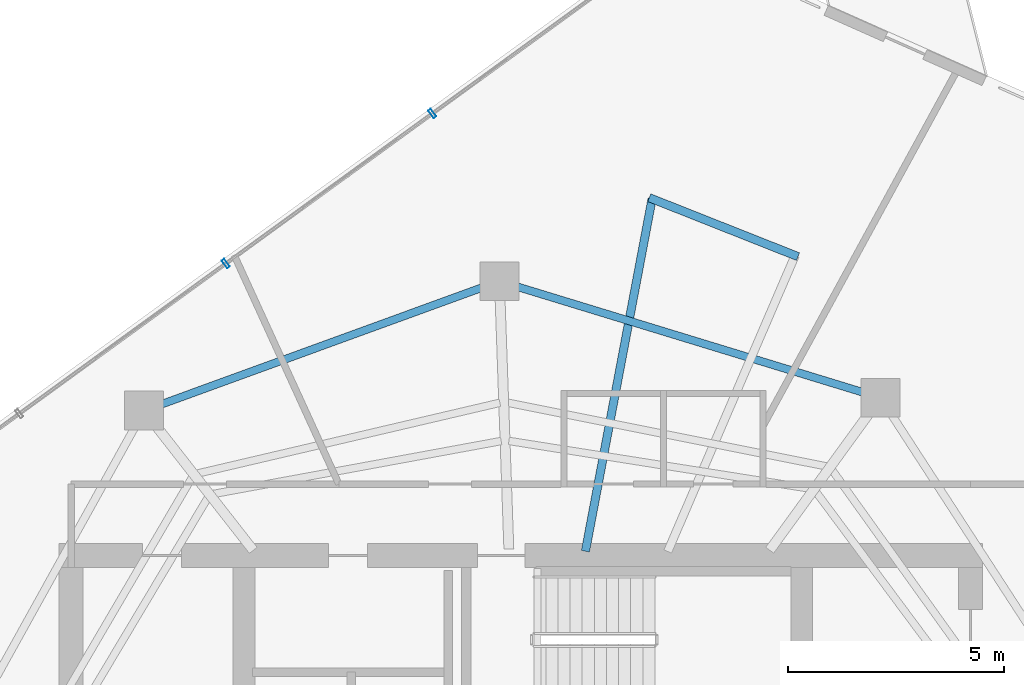
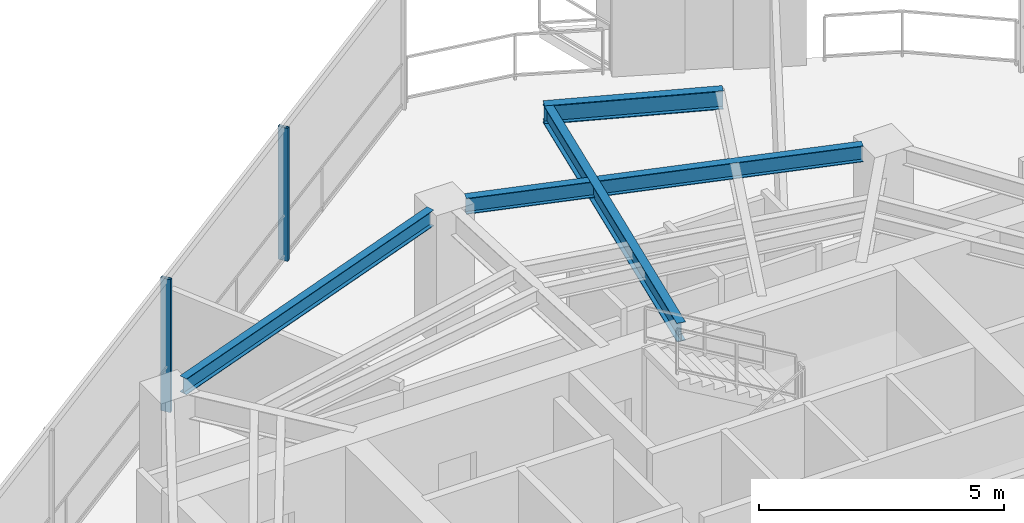
# One storey, part 13 of 20: 4 beams, 2 members, 1 element without a shape of its own.
"""IFC4 building model written with IfcOpenShell, lengths in metres."""

from ifc_helpers import new_model, si_unit, direction, frame, origin, origin_2d, place, context, subcontext, project, spatial, hollow_rectangle, i_section, extrude, material, layer, layer_set, material_profile, profile_set, type_object, element, aggregate, save


model = new_model("IFC4")

# Units and contexts
model_context = context("Model", 3, precision=1e-05, world=origin(), true_north=direction((0.0, 1.0)))
body_context = subcontext(model_context, "Body", "Model", "MODEL_VIEW")
ifc_project = project(units=[si_unit("LENGTHUNIT", "METRE"), si_unit("AREAUNIT", "SQUARE_METRE"), si_unit("VOLUMEUNIT", "CUBIC_METRE"), si_unit("PLANEANGLEUNIT", "RADIAN"), si_unit("MASSUNIT", "GRAM", prefix="KILO")], contexts=[model_context])

# Site, building, storey
site_placement = place(None, origin())
site = spatial("IfcSite", under=ifc_project, at=site_placement, CompositionType="ELEMENT")
building_placement = place(site_placement, origin())
building = spatial("IfcBuilding", under=site, at=building_placement, Name="Qarnah Convention Tower", CompositionType="ELEMENT")
storey_placement = place(building_placement, frame((0.0, 0.0, 202.199951171875)))
storey = spatial("IfcBuildingStorey", under=building, at=storey_placement, Name="L54", CompositionType="ELEMENT", Elevation=202.199951171875)

# Beams
ifc_material_1 = material(Name="Structural steel S355JR", Category="steel")
ifc_material_profile_1 = material_profile(ifc_material_1, i_section(OverallWidth=0.19189453125, OverallDepth=0.464111328125, WebThickness=0.010986328125, FlangeThickness=0.01806640625, at=origin_2d()), Name="W460X89")
ifc_profile_set_1 = profile_set([ifc_material_profile_1], Name="Structural steel S355JR")
beam_type_1 = type_object("IfcBeamType", Name="BM-CANT-W460A", PredefinedType="BEAM", material=ifc_profile_set_1)
beam_1_placement = place(storey_placement, frame((38.694091796875, 34.298095703125, 3.088134765625), z_axis=(0.185927001241, 0.982563560392, 0.0), x_axis=(-0.982563560392, 0.185927001241, 0.0)))
element("IfcBeam", 1, at=beam_1_placement, inside=storey, type_object=beam_type_1, Name="L54 beam BM-L54-CNT-01-2", PredefinedType="BEAM", context=body_context, shape_type="SweptSolid", body=[
    extrude(i_section(OverallWidth=0.19189453125, OverallDepth=0.464111328125, WebThickness=0.010986328125, FlangeThickness=0.01806640625, at=origin_2d()), origin(), (0.0, 0.0, 1.0), 8.29345703125),
])
beam_2_placement = place(storey_placement, frame((43.60791015625, 41.111083984375, 3.088134765625), z_axis=(-0.929683207284, 0.368360060394, 0.0), x_axis=(-0.368360060394, -0.929683207284, 0.0)))
element("IfcBeam", 2, at=beam_2_placement, inside=storey, type_object=beam_type_1, Name="L54 spandrel BM-L54-CTIE-01", PredefinedType="SPANDREL", context=body_context, shape_type="SweptSolid", body=[
    extrude(i_section(OverallWidth=0.19189453125, OverallDepth=0.464111328125, WebThickness=0.010986328125, FlangeThickness=0.01806640625, at=origin_2d()), origin(), (0.0, 0.0, 1.0), 3.697021484375),
])
ifc_material_profile_2 = material_profile(ifc_material_1, i_section(OverallWidth=0.179931640625, OverallDepth=0.39990234375, WebThickness=0.009033203125, FlangeThickness=0.013916015625, at=origin_2d()), Name="IPE400")
ifc_profile_set_2 = profile_set([ifc_material_profile_2], Name="Structural steel S355JR")
beam_type_2 = type_object("IfcBeamType", Name="BM-SPN-IPE400", PredefinedType="SPANDREL", material=ifc_profile_set_2)
beam_3_placement = place(storey_placement, frame((45.095947265625, 37.97705078125, 3.1201171875), z_axis=(-0.956348614223, 0.292228212318, 0.0), x_axis=(-0.292228212318, -0.956348614223, 0.0)))
element("IfcBeam", 3, at=beam_3_placement, inside=storey, type_object=beam_type_2, Name="L54 spandrel BM-L54-SPN-02", PredefinedType="SPANDREL", context=body_context, shape_type="SweptSolid", body=[
    extrude(i_section(OverallWidth=0.179931640625, OverallDepth=0.39990234375, WebThickness=0.009033203125, FlangeThickness=0.013916015625, at=origin_2d()), origin(), (0.0, 0.0, 1.0), 8.332763671875),
])
beam_4_placement = place(storey_placement, frame((36.29296875, 40.39111328125, 3.1201171875), z_axis=(-0.939665594936, -0.342094387112, 0.0), x_axis=(0.342094387112, -0.939665594936, 0.0)))
element("IfcBeam", 4, at=beam_4_placement, inside=storey, type_object=beam_type_2, Name="L54 spandrel BM-L54-SPN-03", PredefinedType="SPANDREL", context=body_context, shape_type="SweptSolid", body=[
    extrude(i_section(OverallWidth=0.179931640625, OverallDepth=0.39990234375, WebThickness=0.009033203125, FlangeThickness=0.013916015625, at=origin_2d()), origin(), (0.0, 0.0, 1.0), 7.86669921875),
])

# Curtain wall, members
ifc_material_2 = material(Name="Tempered Low-E dark glass", Category="glass")
ifc_layer = layer(ifc_material_2, 0.174072265625)
ifc_layer_set = layer_set([ifc_layer], Name="Tempered Low-E dark glass")
curtain_wall_type = type_object("IfcCurtainWallType", Name="CWS-04", PredefinedType="NOTDEFINED", material=ifc_layer_set)
curtain_wall_placement = place(storey_placement, origin())
curtain_wall = element("IfcCurtainWall", 5, at=curtain_wall_placement, inside=storey, type_object=curtain_wall_type, Name="L54 unitised curtain wall CW-L54-F3", PredefinedType="NOTDEFINED")
ifc_material_3 = material(Name="Black anodised aluminium", Category="aluminium")
ifc_material_profile_3 = material_profile(ifc_material_3, hollow_rectangle(XDim=0.074951171875, YDim=0.219970703125, WallThickness=0.0048828125, at=origin_2d()), Name="MUL-75X220")
ifc_profile_set_3 = profile_set([ifc_material_profile_3], Name="Black anodised aluminium")
member_type = type_object("IfcMemberType", Name="MUL-T4", PredefinedType="MULLION", material=ifc_profile_set_3)
member_1_placement = place(storey_placement, frame((30.3779296875, 40.951171875, 0.0), z_axis=(0.0, 0.0, 1.0), x_axis=(0.809004150179, 0.587802930405, 0.0)))
member_1 = element("IfcMember", 6, at=member_1_placement, type_object=member_type, Name="CW-L54-F3 mullion 4", PredefinedType="MULLION", context=body_context, shape_type="SweptSolid", body=[
    extrude(hollow_rectangle(XDim=0.074951171875, YDim=0.219970703125, WallThickness=0.0048828125, at=origin_2d()), origin(), (0.0, 0.0, 1.0), 3.320068359375),
])
member_2_placement = place(storey_placement, frame((35.153076171875, 44.420654296875, 0.0), z_axis=(0.0, 0.0, 1.0), x_axis=(0.809004150179, 0.587802930405, 0.0)))
member_2 = element("IfcMember", 7, at=member_2_placement, type_object=member_type, Name="CW-L54-F3 mullion 5", PredefinedType="MULLION", context=body_context, shape_type="SweptSolid", body=[
    extrude(hollow_rectangle(XDim=0.074951171875, YDim=0.219970703125, WallThickness=0.0048828125, at=origin_2d()), origin(), (0.0, 0.0, 1.0), 3.320068359375),
])
aggregate(curtain_wall, [member_1, member_2])

save(model, "model.ifc")
